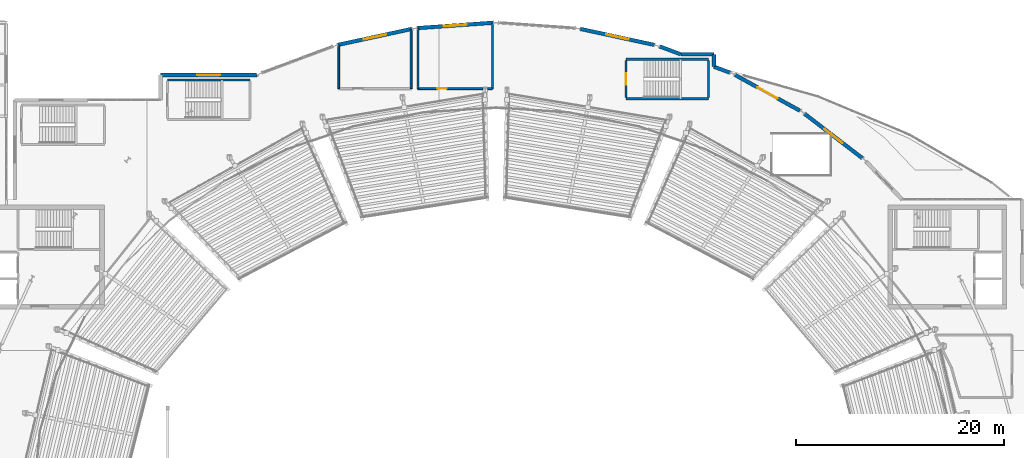
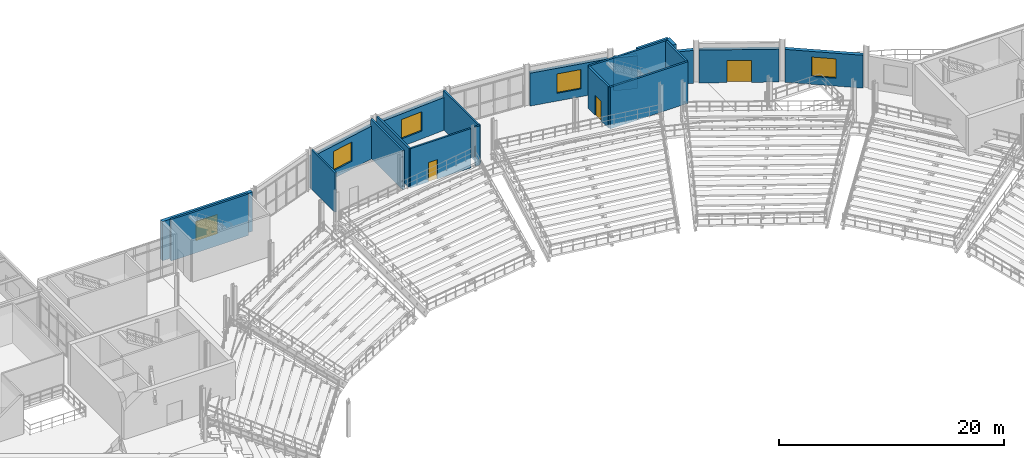
# One storey, part 58 of 81: 21 walls, 5 windows, 3 doors, 8 openings.
"""IFC4 building model written with IfcOpenShell, lengths in metres."""

import ifcopenshell
import ifcopenshell.guid

model = None  # the IFC model being written
_history = None  # IfcOwnerHistory: only IFC2X3 demands one
_inside = {}  # id of a spatial element -> (the spatial element, [elements in it])
_under = {}  # id of a project, library or spatial element -> (it, [spatial elements below it])
_declared = {}  # id of a project -> (the project, [libraries it declares])
_typed = {}  # id of a type object -> (the type object, [elements of that type])
_made_of = {}  # id of a material, layer set ... -> (it, [elements and type objects made of it])


def new_model(schema):
    """Start an empty IFC model of exactly this schema.

    Asked for "IFC4X3", IfcOpenShell would pick the latest addendum, in which some entities
    have other attributes; the version numbers below select the first issue.
    IFC2X3 requires an IfcOwnerHistory on every rooted entity: one is made here for all.
    """
    global model, _history
    if schema == "IFC4X3":
        model = ifcopenshell.file(schema_version=(4, 3, 0, 0))
    else:
        model = ifcopenshell.file(schema=schema)
    _inside.clear()
    _under.clear()
    _declared.clear()
    _typed.clear()
    _made_of.clear()
    _history = None
    if model.schema == "IFC2X3":
        org = make("IfcOrganization", Name="unknown")
        user = make(
            "IfcPersonAndOrganization",
            ThePerson=make("IfcPerson", FamilyName="unknown"),
            TheOrganization=org,
        )
        app = make(
            "IfcApplication",
            ApplicationDeveloper=org,
            Version="unknown",
            ApplicationFullName="unknown",
            ApplicationIdentifier="unknown",
        )
        _history = make(
            "IfcOwnerHistory",
            OwningUser=user,
            OwningApplication=app,
            ChangeAction="ADDED",
            CreationDate=0,
        )
    return model


def make(cls, **values):
    """One entity of the class cls with the attributes given. An attribute that is None is left unset."""
    return model.create_entity(
        cls, **{name: value for name, value in values.items() if value is not None}
    )


def rooted(cls, **values):
    """An entity with a GlobalId (a new one), such as an element, a storey or a relation."""
    return make(cls, GlobalId=ifcopenshell.guid.new(), OwnerHistory=_history, **values)


def si_unit(unit_type, name, prefix=None):
    """IfcSIUnit, for example si_unit("LENGTHUNIT", "METRE", prefix="MILLI")."""
    return make("IfcSIUnit", UnitType=unit_type, Prefix=prefix, Name=name)


def assignment(units):
    """IfcUnitAssignment: the units of a project."""
    return None if units is None else make("IfcUnitAssignment", Units=units)


def point(xyz):
    """IfcCartesianPoint."""
    return None if xyz is None else make("IfcCartesianPoint", Coordinates=xyz)


def direction(xyz):
    """IfcDirection."""
    return None if xyz is None else make("IfcDirection", DirectionRatios=xyz)


def frame(location, z_axis=None, x_axis=None):
    """IfcAxis2Placement3D, a coordinate frame: its origin and axes. An axis left out is left unset."""
    return make(
        "IfcAxis2Placement3D",
        Location=point(location),
        Axis=direction(z_axis),
        RefDirection=direction(x_axis),
    )


def frame_2d(location, x_axis=None):
    """IfcAxis2Placement2D, a coordinate frame in the plane: its origin and x axis."""
    return make(
        "IfcAxis2Placement2D", Location=point(location), RefDirection=direction(x_axis)
    )


def origin():
    """The frame at (0, 0, 0) with its axes left unset."""
    return frame((0.0, 0.0, 0.0))


def place(relative_to, where):
    """IfcLocalPlacement: puts the frame where relative to a parent placement (None: the world)."""
    return make(
        "IfcLocalPlacement", PlacementRelTo=relative_to, RelativePlacement=where
    )


def context(
    kind, dimensions, precision=None, world=None, true_north=None, identifier=None
):
    """IfcGeometricRepresentationContext, for example the 3D "Model" context."""
    return make(
        "IfcGeometricRepresentationContext",
        ContextIdentifier=identifier,
        ContextType=kind,
        CoordinateSpaceDimension=dimensions,
        Precision=precision,
        WorldCoordinateSystem=world,
        TrueNorth=true_north,
    )


def subcontext(parent, identifier, kind, view, scale=None):
    """IfcGeometricRepresentationSubContext, for example "Body" below "Model"."""
    return make(
        "IfcGeometricRepresentationSubContext",
        ContextIdentifier=identifier,
        ContextType=kind,
        ParentContext=parent,
        TargetScale=scale,
        TargetView=view,
    )


def project(units=None, contexts=None):
    """IfcProject with its units and contexts."""
    return rooted(
        "IfcProject",
        Name="project",
        RepresentationContexts=contexts,
        UnitsInContext=assignment(units),
    )


def spatial(cls, under=None, at=None, **own):
    """A site, building, storey or space (cls), placed at a placement, below another one or the project."""
    s = rooted(cls, ObjectPlacement=at, **own)
    if under is not None:
        _under.setdefault(under.id(), (under, []))[1].append(s)
    return s


def profile(cls, at=None, kind="AREA", **sizes):
    """A parametric profile (cls). Its sizes go by their IFC names, for example OverallWidth=200.0."""
    return make(cls, ProfileType=kind, Position=at, **sizes)


def rectangle(**sizes):
    """IfcRectangleProfileDef."""
    return profile("IfcRectangleProfileDef", **sizes)


def extrude(swept, where, along, depth):
    """IfcExtrudedAreaSolid: the profile swept, set in the frame where, extruded along a direction by depth."""
    return make(
        "IfcExtrudedAreaSolid",
        SweptArea=swept,
        Position=where,
        ExtrudedDirection=direction(along),
        Depth=depth,
    )


def shape(context_of_items, identifier, shape_type, items):
    """IfcShapeRepresentation: the items that make up one representation, for example the "Body"."""
    return make(
        "IfcShapeRepresentation",
        ContextOfItems=context_of_items,
        RepresentationIdentifier=identifier,
        RepresentationType=shape_type,
        Items=items,
    )


def material(Name=None, Category=None):
    """IfcMaterial."""
    return make("IfcMaterial", Name=Name, Category=Category)


def layer(
    of_material, thickness, ventilated=None, Name=None, Category=None, Priority=None
):
    """IfcMaterialLayer: one layer of a wall or slab, of a material (None: an air gap)."""
    return make(
        "IfcMaterialLayer",
        Material=of_material,
        LayerThickness=thickness,
        IsVentilated=ventilated,
        Name=Name,
        Category=Category,
        Priority=Priority,
    )


def layer_set(layers, Name=None):
    """IfcMaterialLayerSet."""
    return make("IfcMaterialLayerSet", MaterialLayers=layers, LayerSetName=Name)


def made_of(thing, what):
    """Note that an element or type object is made of a material, layer set ...; save() writes the relation."""
    if what is not None:
        _made_of.setdefault(what.id(), (what, []))[1].append(thing)
    return thing


def type_object(cls, material=None, **own):
    """A type object (cls), such as IfcWallType, which elements share."""
    return made_of(rooted(cls, **own), material)


def element(
    cls,
    number,
    at=None,
    inside=None,
    cuts=None,
    type_object=None,
    material=None,
    context=None,
    identifier="Body",
    shape_type=None,
    held_by="IfcProductDefinitionShape",
    body=None,
    shapes=None,
    **own,
):
    """One element of the class cls, such as IfcWall. Its Tag is "e" and its number.

    at: its placement. inside: the storey or other place that contains it. cuts: it is an
    opening in that element (IfcRelVoidsElement). A single representation is given by context,
    identifier, shape_type and body (its items); several are given by shapes. held_by: the class
    of the entity that holds the representations. save() writes the other relations.
    """
    e = rooted(cls, Tag="e%d" % number, ObjectPlacement=at, **own)
    if body is not None:
        shapes = [shape(context, identifier, shape_type, body)]
    if shapes is not None:
        e.Representation = make(held_by, Representations=shapes)
    if inside is not None:
        _inside.setdefault(inside.id(), (inside, []))[1].append(e)
    if cuts is not None:
        rooted(
            "IfcRelVoidsElement", RelatingBuildingElement=cuts, RelatedOpeningElement=e
        )
    if type_object is not None:
        _typed.setdefault(type_object.id(), (type_object, []))[1].append(e)
    return made_of(e, material)


def fill(opening, filler):
    """IfcRelFillsElement: the door or window that sits in an opening."""
    return rooted(
        "IfcRelFillsElement",
        RelatingOpeningElement=opening,
        RelatedBuildingElement=filler,
    )


def aggregate(whole, parts):
    """IfcRelAggregates: a whole, such as a stair, and the parts it consists of."""
    return rooted("IfcRelAggregates", RelatingObject=whole, RelatedObjects=parts)


def save(model, path):
    """Write the relations noted so far, then the file.

    IfcRelAggregates (storeys below a building ...), IfcRelContainedInSpatialStructure (elements
    in a storey), IfcRelDefinesByType, IfcRelAssociatesMaterial and IfcRelDeclares: one each for
    every whole, place, type object, material and project.
    """
    for whole, parts in _under.values():
        aggregate(whole, parts)
    for where, things in _inside.values():
        rooted(
            "IfcRelContainedInSpatialStructure",
            RelatedElements=things,
            RelatingStructure=where,
        )
    for kind, things in _typed.values():
        rooted("IfcRelDefinesByType", RelatedObjects=things, RelatingType=kind)
    for what, things in _made_of.values():
        rooted("IfcRelAssociatesMaterial", RelatedObjects=things, RelatingMaterial=what)
    for by, libraries in _declared.values():
        rooted("IfcRelDeclares", RelatingContext=by, RelatedDefinitions=libraries)
    model.write(path)


model = new_model("IFC4")

# Units and contexts
model_context = context("Model", 3, precision=1e-05, world=origin(), true_north=direction((0.0, 1.0)))
body_context = subcontext(model_context, "Body", "Model", "MODEL_VIEW")
ifc_project = project(units=[si_unit("LENGTHUNIT", "METRE"), si_unit("AREAUNIT", "SQUARE_METRE"), si_unit("VOLUMEUNIT", "CUBIC_METRE"), si_unit("PLANEANGLEUNIT", "RADIAN"), si_unit("MASSUNIT", "GRAM", prefix="KILO")], contexts=[model_context])

# Site, building, storey
site_placement = place(None, origin())
site = spatial("IfcSite", under=ifc_project, at=site_placement, CompositionType="ELEMENT")
building_placement = place(site_placement, origin())
building = spatial("IfcBuilding", under=site, at=building_placement, Name="Glasvene Arena", CompositionType="ELEMENT")
storey_placement = place(building_placement, frame((0.0, 0.0, 15.0)))
storey = spatial("IfcBuildingStorey", under=building, at=storey_placement, Name="L03", CompositionType="ELEMENT", Elevation=15.0)

# Wall, opening, window
ifc_material_1 = material(Name="Coursed pale Irish limestone", Category="masonry")
ifc_layer_1 = layer(ifc_material_1, 0.360107421875)
ifc_layer_set_1 = layer_set([ifc_layer_1], Name="Coursed pale Irish limestone")
wall_type_1 = type_object("IfcWallType", Name="WL-EXT-LIM-360", PredefinedType="STANDARD", material=ifc_layer_set_1)
wall_1_placement = place(storey_placement, frame((59.800048828125, 112.949951171875, 0.0), z_axis=(0.0, 0.0, 1.0), x_axis=(1.0, 0.0, 0.0)))
wall_1 = element("IfcWall", 1, at=wall_1_placement, inside=storey, type_object=wall_type_1, Name="External facade wall EW-L03-0194", PredefinedType="STANDARD", context=body_context, shape_type="SweptSolid", body=[
    extrude(rectangle(XDim=9.237060546875, YDim=0.360107421875, at=frame_2d((4.61865234375, 0.0))), origin(), (0.0, 0.0, 1.0), 4.25),
])
opening_1_placement = place(wall_1_placement, frame((3.51904296875, 0.0, 0.85009765625)))
opening_1 = element("IfcOpeningElement", 2, at=opening_1_placement, cuts=wall_1, Name="Opening W-09", PredefinedType="OPENING", context=body_context, shape_type="SweptSolid", body=[
    extrude(rectangle(XDim=2.199951171875, YDim=2.10009765625, at=frame_2d((1.10009765625, 1.050048828125))), frame((0.0, 0.18994140625, 0.0), z_axis=(0.0, -1.0, 0.0), x_axis=(1.0, 0.0, 0.0)), (0.0, 0.0, 1.0), 0.380126953125),
])
ifc_material_2 = material(Name="Low-emissivity laminated double glazing", Category="glass")
window_type = type_object("IfcWindowType", Name="WN-SUITE-220x210", PartitioningType="DOUBLE_PANEL_VERTICAL", PredefinedType="WINDOW", material=ifc_material_2)
window_1_placement = place(opening_1_placement, origin())
window_1 = element("IfcWindow", 3, at=window_1_placement, inside=storey, type_object=window_type, Name="Facade window WN-SUITE-220x210 L03-0124", OverallHeight=2.10009765625, OverallWidth=2.199951171875, PartitioningType="SINGLE_PANEL", PredefinedType="WINDOW", context=body_context, shape_type="SweptSolid", body=[
    extrude(rectangle(XDim=2.199951171875, YDim=2.10009765625, at=frame_2d((1.10009765625, 1.050048828125))), frame((0.0, 0.030029296875, 0.0), z_axis=(0.0, -1.0, 0.0), x_axis=(1.0, 0.0, 0.0)), (0.0, 0.0, 1.0), 0.06005859375),
])
fill(opening_1, window_1)

wall_2_placement = place(storey_placement, frame((76.8095703125, 115.853759765625, 0.0), z_axis=(0.0, 0.0, 1.0), x_axis=(0.977443945478, 0.211195012838, 0.0)))
wall_2 = element("IfcWall", 4, at=wall_2_placement, inside=storey, type_object=wall_type_1, Name="External facade wall EW-L03-0195", PredefinedType="STANDARD", context=body_context, shape_type="SweptSolid", body=[
    extrude(rectangle(XDim=7.274658203125, YDim=0.360107421875, at=frame_2d((3.63720703125, 0.0))), origin(), (0.0, 0.0, 1.0), 3.5615234375),
])
opening_2_placement = place(wall_2_placement, frame((2.537109375, 0.0, 0.85009765625)))
opening_2 = element("IfcOpeningElement", 5, at=opening_2_placement, cuts=wall_2, Name="Opening W-09", PredefinedType="OPENING", context=body_context, shape_type="SweptSolid", body=[
    extrude(rectangle(XDim=2.199951171875, YDim=2.10009765625, at=frame_2d((1.10009765625, 1.050048828125))), frame((0.0, 0.18994140625, 0.0), z_axis=(0.0, -1.0, 0.0), x_axis=(1.0, 0.0, 0.0)), (0.0, 0.0, 1.0), 0.380126953125),
])
window_2_placement = place(opening_2_placement, origin())
window_2 = element("IfcWindow", 6, at=window_2_placement, inside=storey, type_object=window_type, Name="Facade window WN-SUITE-220x210 L03-0125", OverallHeight=2.10009765625, OverallWidth=2.199951171875, PartitioningType="SINGLE_PANEL", PredefinedType="WINDOW", context=body_context, shape_type="SweptSolid", body=[
    extrude(rectangle(XDim=2.199951171875, YDim=2.10009765625, at=frame_2d((1.10009765625, 1.050048828125))), frame((0.0, 0.030029296875, 0.0), z_axis=(0.0, -1.0, 0.0), x_axis=(1.0, 0.0, 0.0)), (0.0, 0.0, 1.0), 0.06005859375),
])
fill(opening_2, window_2)

wall_3_placement = place(storey_placement, frame((84.443115234375, 117.46484375, 0.0), z_axis=(0.0, 0.0, 1.0), x_axis=(0.99750291648, 0.070625290183, 0.0)))
wall_3 = element("IfcWall", 7, at=wall_3_placement, inside=storey, type_object=wall_type_1, Name="External facade wall EW-L03-0196", PredefinedType="STANDARD", context=body_context, shape_type="SweptSolid", body=[
    extrude(rectangle(XDim=7.311279296875, YDim=0.360107421875, at=frame_2d((3.65576171875, 0.0))), origin(), (0.0, 0.0, 1.0), 3.5615234375),
])
opening_3_placement = place(wall_3_placement, frame((2.555908203125, 0.0, 0.85009765625)))
opening_3 = element("IfcOpeningElement", 8, at=opening_3_placement, cuts=wall_3, Name="Opening W-09", PredefinedType="OPENING", context=body_context, shape_type="SweptSolid", body=[
    extrude(rectangle(XDim=2.199951171875, YDim=2.10009765625, at=frame_2d((1.10009765625, 1.050048828125))), frame((0.0, 0.18994140625, 0.0), z_axis=(0.0, -1.0, 0.0), x_axis=(1.0, 0.0, 0.0)), (0.0, 0.0, 1.0), 0.380126953125),
])
window_3_placement = place(opening_3_placement, origin())
window_3 = element("IfcWindow", 9, at=window_3_placement, inside=storey, type_object=window_type, Name="Facade window WN-SUITE-220x210 L03-0126", OverallHeight=2.10009765625, OverallWidth=2.199951171875, PartitioningType="SINGLE_PANEL", PredefinedType="WINDOW", context=body_context, shape_type="SweptSolid", body=[
    extrude(rectangle(XDim=2.199951171875, YDim=2.10009765625, at=frame_2d((1.10009765625, 1.050048828125))), frame((0.0, 0.030029296875, 0.0), z_axis=(0.0, -1.0, 0.0), x_axis=(1.0, 0.0, 0.0)), (0.0, 0.0, 1.0), 0.06005859375),
])
fill(opening_3, window_3)

wall_4_placement = place(storey_placement, frame((100.079833984375, 117.39013671875, 0.0), z_axis=(0.0, 0.0, 1.0), x_axis=(0.977443945478, -0.211195012838, 0.0)))
wall_4 = element("IfcWall", 10, at=wall_4_placement, inside=storey, type_object=wall_type_1, Name="External facade wall EW-L03-0197", PredefinedType="STANDARD", context=body_context, shape_type="SweptSolid", body=[
    extrude(rectangle(XDim=7.274658203125, YDim=0.360107421875, at=frame_2d((3.63720703125, 0.0))), origin(), (0.0, 0.0, 1.0), 3.5615234375),
])
opening_4_placement = place(wall_4_placement, frame((2.537109375, 0.0, 0.85009765625)))
opening_4 = element("IfcOpeningElement", 11, at=opening_4_placement, cuts=wall_4, Name="Opening W-09", PredefinedType="OPENING", context=body_context, shape_type="SweptSolid", body=[
    extrude(rectangle(XDim=2.199951171875, YDim=2.10009765625, at=frame_2d((1.10009765625, 1.050048828125))), frame((0.0, 0.18994140625, 0.0), z_axis=(0.0, -1.0, 0.0), x_axis=(1.0, 0.0, 0.0)), (0.0, 0.0, 1.0), 0.380126953125),
])
window_4_placement = place(opening_4_placement, origin())
window_4 = element("IfcWindow", 12, at=window_4_placement, inside=storey, type_object=window_type, Name="Facade window WN-SUITE-220x210 L03-0127", OverallHeight=2.10009765625, OverallWidth=2.199951171875, PartitioningType="SINGLE_PANEL", PredefinedType="WINDOW", context=body_context, shape_type="SweptSolid", body=[
    extrude(rectangle(XDim=2.199951171875, YDim=2.10009765625, at=frame_2d((1.10009765625, 1.050048828125))), frame((0.0, 0.030029296875, 0.0), z_axis=(0.0, -1.0, 0.0), x_axis=(1.0, 0.0, 0.0)), (0.0, 0.0, 1.0), 0.06005859375),
])
fill(opening_4, window_4)

# Walls
wall_5_placement = place(storey_placement, frame((107.6982421875, 115.705322265625, 0.0), z_axis=(0.0, 0.0, 1.0), x_axis=(0.9369864699, -0.349365646887, 0.0)))
element("IfcWall", 13, at=wall_5_placement, inside=storey, type_object=wall_type_1, Name="External facade wall EW-L03-0198", PredefinedType="STANDARD", context=body_context, shape_type="SweptSolid", body=[
    extrude(rectangle(XDim=2.162109375, YDim=0.360107421875, at=frame_2d((1.0810546875, 0.0))), origin(), (0.0, 0.0, 1.0), 3.5615234375),
])
wall_6_placement = place(storey_placement, frame((109.72412109375, 114.949951171875, 0.0), z_axis=(0.0, 0.0, 1.0), x_axis=(1.0, 0.0, 0.0)))
element("IfcWall", 14, at=wall_6_placement, inside=storey, type_object=wall_type_1, Name="External facade wall EW-L03-0199", PredefinedType="STANDARD", context=body_context, shape_type="SweptSolid", body=[
    extrude(rectangle(XDim=3.17578125, YDim=0.360107421875, at=frame_2d((1.587890625, 0.0))), origin(), (0.0, 0.0, 1.0), 4.25),
])
wall_7_placement = place(storey_placement, frame((112.89990234375, 114.949951171875, 0.0), z_axis=(0.0, 0.0, 1.0), x_axis=(0.0, -1.0, 0.0)))
element("IfcWall", 15, at=wall_7_placement, inside=storey, type_object=wall_type_1, Name="External facade wall EW-L03-0200", PredefinedType="STANDARD", context=body_context, shape_type="SweptSolid", body=[
    extrude(rectangle(XDim=1.183837890625, YDim=0.360107421875, at=frame_2d((0.591796875, 0.0))), origin(), (0.0, 0.0, 1.0), 4.25),
])
wall_8_placement = place(storey_placement, frame((112.89990234375, 113.76611328125, 0.0), z_axis=(0.0, 0.0, 1.0), x_axis=(0.937025264324, -0.349261583944, 0.0)))
element("IfcWall", 16, at=wall_8_placement, inside=storey, type_object=wall_type_1, Name="External facade wall EW-L03-0201", PredefinedType="STANDARD", context=body_context, shape_type="SweptSolid", body=[
    extrude(rectangle(XDim=1.653076171875, YDim=0.360107421875, at=frame_2d((0.82666015625, 0.0))), origin(), (0.0, 0.0, 1.0), 3.5615234375),
])

# Wall, opening, door
wall_9_placement = place(storey_placement, frame((114.9306640625, 112.9677734375, 0.0), z_axis=(0.0, 0.0, 1.0), x_axis=(0.875666344916, -0.482916610174, 0.0)))
wall_9 = element("IfcWall", 17, at=wall_9_placement, inside=storey, type_object=wall_type_1, Name="External facade wall EW-L03-0202", PredefinedType="STANDARD", context=body_context, shape_type="SweptSolid", body=[
    extrude(rectangle(XDim=7.107666015625, YDim=0.360107421875, at=frame_2d((3.5537109375, 0.0))), origin(), (0.0, 0.0, 1.0), 3.5615234375),
])
opening_5_placement = place(wall_9_placement, frame((2.4541015625, 0.0, 0.0)))
opening_5 = element("IfcOpeningElement", 18, at=opening_5_placement, cuts=wall_9, Name="Opening TD-220", PredefinedType="OPENING", context=body_context, shape_type="SweptSolid", body=[
    extrude(rectangle(XDim=2.199951171875, YDim=2.39990234375, at=frame_2d((1.10009765625, 1.199951171875))), frame((0.0, 0.18994140625, 0.0), z_axis=(0.0, -1.0, 0.0), x_axis=(1.0, 0.0, 0.0)), (0.0, 0.0, 1.0), 0.380126953125),
])
ifc_material_3 = material(Name="Anodised architectural aluminium", Category="aluminium")
door_type_1 = type_object("IfcDoorType", Name="DR-TERR-2200", OperationType="DOUBLE_DOOR_SINGLE_SWING", PredefinedType="DOOR", material=ifc_material_3)
door_1_placement = place(opening_5_placement, origin())
door_1 = element("IfcDoor", 19, at=door_1_placement, inside=storey, type_object=door_type_1, Name="Terrace lounge glazed exit door TD-L03-03", OperationType="DOUBLE_DOOR_SINGLE_SWING", OverallHeight=2.39990234375, OverallWidth=2.199951171875, PredefinedType="DOOR", context=body_context, shape_type="SweptSolid", body=[
    extrude(rectangle(XDim=2.199951171875, YDim=2.39990234375, at=frame_2d((1.10009765625, 1.199951171875))), frame((0.0, 0.02490234375, 0.0), z_axis=(0.0, -1.0, 0.0), x_axis=(1.0, 0.0, 0.0)), (0.0, 0.0, 1.0), 0.050048828125),
])
fill(opening_5, door_1)

# Wall, opening, window
wall_10_placement = place(storey_placement, frame((121.5986328125, 109.244873046875, 0.0), z_axis=(0.0, 0.0, 1.0), x_axis=(0.792838099683, -0.609432315923, 0.0)))
wall_10 = element("IfcWall", 20, at=wall_10_placement, inside=storey, type_object=wall_type_1, Name="External facade wall EW-L03-0203", PredefinedType="STANDARD", context=body_context, shape_type="SweptSolid", body=[
    extrude(rectangle(XDim=6.992431640625, YDim=0.360107421875, at=frame_2d((3.49609375, 0.0))), origin(), (0.0, 0.0, 1.0), 3.5615234375),
])
opening_6_placement = place(wall_10_placement, frame((2.39599609375, 0.0, 0.85009765625)))
opening_6 = element("IfcOpeningElement", 21, at=opening_6_placement, cuts=wall_10, Name="Opening W-09", PredefinedType="OPENING", context=body_context, shape_type="SweptSolid", body=[
    extrude(rectangle(XDim=2.199951171875, YDim=2.10009765625, at=frame_2d((1.10009765625, 1.050048828125))), frame((0.0, 0.18994140625, 0.0), z_axis=(0.0, -1.0, 0.0), x_axis=(1.0, 0.0, 0.0)), (0.0, 0.0, 1.0), 0.380126953125),
])
window_5_placement = place(opening_6_placement, origin())
window_5 = element("IfcWindow", 22, at=window_5_placement, inside=storey, type_object=window_type, Name="Facade window WN-SUITE-220x210 L03-0128", OverallHeight=2.10009765625, OverallWidth=2.199951171875, PartitioningType="SINGLE_PANEL", PredefinedType="WINDOW", context=body_context, shape_type="SweptSolid", body=[
    extrude(rectangle(XDim=2.199951171875, YDim=2.10009765625, at=frame_2d((1.10009765625, 1.050048828125))), frame((0.0, 0.030029296875, 0.0), z_axis=(0.0, -1.0, 0.0), x_axis=(1.0, 0.0, 0.0)), (0.0, 0.0, 1.0), 0.06005859375),
])
fill(opening_6, window_5)

# Walls
ifc_material_4 = material(Name="Concrete C40/50", Category="concrete")
ifc_layer_2 = layer(ifc_material_4, 0.199951171875)
ifc_layer_set_2 = layer_set([ifc_layer_2], Name="Concrete C40/50")
wall_type_2 = type_object("IfcWallType", Name="WL-SHAFT-200", PredefinedType="SHEAR", material=ifc_layer_set_2)
for number, where, z_axis, x_axis, name in (
    (23, (60.449951171875, 112.469970703125, 0.0), (0.0, 0.0, 1.0), (1.0, 0.0, 0.0), "Escape stair shaft wall ST-10 L03 N"),
    (24, (104.449951171875, 110.679931640625, 0.0), (0.0, 0.0, 1.0), (1.0, 0.0, 0.0), "Escape stair shaft wall ST-11 L03 S"),
):
    element("IfcWall", number, at=place(storey_placement, frame(where, z_axis=z_axis, x_axis=x_axis)), inside=storey, type_object=wall_type_2, Name=name, PredefinedType="SHEAR", context=body_context, shape_type="SweptSolid", body=[
        extrude(rectangle(XDim=7.949951171875, YDim=0.199951171875, at=frame_2d((3.97509765625, 0.0))), origin(), (0.0, 0.0, 1.0), 4.5),
    ])

# Wall, opening, door
wall_11_placement = place(storey_placement, frame((104.449951171875, 110.781982421875, 0.0), z_axis=(0.0, 0.0, 1.0), x_axis=(0.0, 1.0, 0.0)))
wall_11 = element("IfcWall", 25, at=wall_11_placement, inside=storey, type_object=wall_type_2, Name="Escape stair shaft wall ST-11 L03 W", PredefinedType="SHEAR", context=body_context, shape_type="SweptSolid", body=[
    extrude(rectangle(XDim=3.5859375, YDim=0.199951171875, at=frame_2d((1.79296875, 0.0))), origin(), (0.0, 0.0, 1.0), 4.5),
])
opening_7_placement = place(wall_11_placement, frame((1.242919921875, 0.0, 0.0)))
opening_7 = element("IfcOpeningElement", 26, at=opening_7_placement, cuts=wall_11, Name="Opening D-04", PredefinedType="OPENING", context=body_context, shape_type="SweptSolid", body=[
    extrude(rectangle(XDim=1.10009765625, YDim=2.14990234375, at=frame_2d((0.550048828125, 1.074951171875))), frame((0.0, 0.10986328125, 0.0), z_axis=(0.0, -1.0, 0.0), x_axis=(1.0, 0.0, 0.0)), (0.0, 0.0, 1.0), 0.219970703125),
])
ifc_material_5 = material(Name="Painted fire-resisting steel", Category="steel")
door_type_2 = type_object("IfcDoorType", Name="DR-FD60-1100", OperationType="NOTDEFINED", PredefinedType="DOOR", material=ifc_material_5)
door_2_placement = place(opening_7_placement, frame((1.10009765625, 0.0, 0.0), z_axis=(0.0, 0.0, 1.0), x_axis=(-1.0, 0.0, 0.0)))
door_2 = element("IfcDoor", 27, at=door_2_placement, inside=storey, type_object=door_type_2, Name="Protected escape stair door ST-11 L03", OperationType="SINGLE_SWING_RIGHT", OverallHeight=2.14990234375, OverallWidth=1.10009765625, PredefinedType="DOOR", context=body_context, shape_type="SweptSolid", body=[
    extrude(rectangle(XDim=1.10009765625, YDim=2.14990234375, at=frame_2d((0.550048828125, 1.074951171875))), frame((0.0, 0.02490234375, 0.0), z_axis=(0.0, -1.0, 0.0), x_axis=(1.0, 0.0, 0.0)), (0.0, 0.0, 1.0), 0.050048828125),
])
fill(opening_7, door_2)

# Walls
wall_12_placement = place(storey_placement, frame((112.39990234375, 110.781982421875, 0.0), z_axis=(0.0, 0.0, 1.0), x_axis=(0.0, 1.0, 0.0)))
element("IfcWall", 28, at=wall_12_placement, inside=storey, type_object=wall_type_2, Name="Escape stair shaft wall ST-11 L03 E", PredefinedType="SHEAR", context=body_context, shape_type="SweptSolid", body=[
    extrude(rectangle(XDim=3.5859375, YDim=0.199951171875, at=frame_2d((1.79296875, 0.0))), origin(), (0.0, 0.0, 1.0), 4.5),
])
wall_13_placement = place(storey_placement, frame((104.449951171875, 114.469970703125, 0.0), z_axis=(0.0, 0.0, 1.0), x_axis=(1.0, 0.0, 0.0)))
element("IfcWall", 29, at=wall_13_placement, inside=storey, type_object=wall_type_2, Name="Escape stair shaft wall ST-11 L03 N", PredefinedType="SHEAR", context=body_context, shape_type="SweptSolid", body=[
    extrude(rectangle(XDim=7.949951171875, YDim=0.199951171875, at=frame_2d((3.97509765625, 0.0))), origin(), (0.0, 0.0, 1.0), 4.5),
])
ifc_material_6 = material(Name="Moisture-resistant masonry blockwork", Category="masonry")
ifc_layer_3 = layer(ifc_material_6, 0.179931640625)
ifc_layer_set_3 = layer_set([ifc_layer_3], Name="Moisture-resistant masonry blockwork")
wall_type_3 = type_object("IfcWallType", Name="WL-WET-180", PredefinedType="PARTITIONING", material=ifc_layer_set_3)
wall_14_placement = place(storey_placement, frame((83.85009765625, 117.335205078125, 0.0), z_axis=(0.0, 0.0, 1.0), x_axis=(0.0, -1.0, 0.0)))
element("IfcWall", 30, at=wall_14_placement, inside=storey, type_object=wall_type_3, Name="Interior partition wall IW-L03-0272 (L03 Public Male WC)", PredefinedType="PARTITIONING", context=body_context, shape_type="SweptSolid", body=[
    extrude(rectangle(XDim=5.685302734375, YDim=0.179931640625, at=frame_2d((2.8427734375, 0.0))), origin(), (0.0, 0.0, 1.0), 4.25),
])
wall_15_placement = place(storey_placement, frame((76.89990234375, 111.64990234375, 0.0), z_axis=(0.0, 0.0, 1.0), x_axis=(0.0, 1.0, 0.0)))
element("IfcWall", 31, at=wall_15_placement, inside=storey, type_object=wall_type_3, Name="Interior partition wall IW-L03-0274 (L03 Public Male WC)", PredefinedType="PARTITIONING", context=body_context, shape_type="SweptSolid", body=[
    extrude(rectangle(XDim=4.183349609375, YDim=0.179931640625, at=frame_2d((2.091796875, 0.0))), origin(), (0.0, 0.0, 1.0), 4.25),
])
wall_16_placement = place(storey_placement, frame((91.64990234375, 117.935302734375, 0.0), z_axis=(0.0, 0.0, 1.0), x_axis=(0.0, -1.0, 0.0)))
element("IfcWall", 32, at=wall_16_placement, inside=storey, type_object=wall_type_3, Name="Interior partition wall IW-L03-0275 (L03 Public Female WC)", PredefinedType="PARTITIONING", context=body_context, shape_type="SweptSolid", body=[
    extrude(rectangle(XDim=6.285400390625, YDim=0.179931640625, at=frame_2d((3.142578125, 0.0))), origin(), (0.0, 0.0, 1.0), 4.25),
])
wall_17_placement = place(storey_placement, frame((91.64990234375, 111.64990234375, 0.0), z_axis=(0.0, 0.0, 1.0), x_axis=(-1.0, 0.0, 0.0)))
element("IfcWall", 33, at=wall_17_placement, inside=storey, type_object=wall_type_3, Name="Interior partition wall IW-L03-0276 (L03 Public Female WC)", PredefinedType="PARTITIONING", context=body_context, shape_type="SweptSolid", body=[
    extrude(rectangle(XDim=0.465087890625, YDim=0.179931640625, at=frame_2d((0.232421875, 0.0))), origin(), (0.0, 0.0, 1.0), 4.25),
])

# Wall, opening, door
wall_18_placement = place(storey_placement, frame((90.72802734375, 111.64990234375, 0.0), z_axis=(0.0, 0.0, 1.0), x_axis=(-1.0, 0.0, 0.0)))
wall_18 = element("IfcWall", 34, at=wall_18_placement, inside=storey, type_object=wall_type_3, Name="Interior partition wall IW-L03-0277 (L03 Public Female WC)", PredefinedType="PARTITIONING", context=body_context, shape_type="SweptSolid", body=[
    extrude(rectangle(XDim=6.22802734375, YDim=0.179931640625, at=frame_2d((3.114013671875, 0.0))), origin(), (0.0, 0.0, 1.0), 4.25),
])
opening_8_placement = place(wall_18_placement, frame((3.451904296875, 0.0, 0.0)))
opening_8 = element("IfcOpeningElement", 35, at=opening_8_placement, cuts=wall_18, Name="Opening D-13", PredefinedType="OPENING", context=body_context, shape_type="SweptSolid", body=[
    extrude(rectangle(XDim=0.89990234375, YDim=2.10009765625, at=frame_2d((0.449951171875, 1.050048828125))), frame((0.0, 0.10009765625, 0.0), z_axis=(0.0, -1.0, 0.0), x_axis=(1.0, 0.0, 0.0)), (0.0, 0.0, 1.0), 0.199951171875),
])
ifc_material_7 = material(Name="Moisture-resistant laminate timber", Category="wood")
door_type_3 = type_object("IfcDoorType", Name="DR-WC-900", OperationType="NOTDEFINED", PredefinedType="DOOR", material=ifc_material_7)
door_3_placement = place(opening_8_placement, origin())
door_3 = element("IfcDoor", 36, at=door_3_placement, inside=storey, type_object=door_type_3, Name="Interior door DR-WC-900 (L03 Public Female WC)", OperationType="SINGLE_SWING_LEFT", OverallHeight=2.10009765625, OverallWidth=0.89990234375, PredefinedType="DOOR", context=body_context, shape_type="SweptSolid", body=[
    extrude(rectangle(XDim=0.89990234375, YDim=2.10009765625, at=frame_2d((0.449951171875, 1.050048828125))), frame((0.0, 0.02490234375, 0.0), z_axis=(0.0, -1.0, 0.0), x_axis=(1.0, 0.0, 0.0)), (0.0, 0.0, 1.0), 0.050048828125),
])
fill(opening_8, door_3)

# Wall
wall_19_placement = place(storey_placement, frame((84.5, 111.64990234375, 0.0), z_axis=(0.0, 0.0, 1.0), x_axis=(0.0, 1.0, 0.0)))
element("IfcWall", 37, at=wall_19_placement, inside=storey, type_object=wall_type_3, Name="Interior partition wall IW-L03-0278 (L03 Public Female WC)", PredefinedType="PARTITIONING", context=body_context, shape_type="SweptSolid", body=[
    extrude(rectangle(XDim=5.77880859375, YDim=0.179931640625, at=frame_2d((2.889404296875, 0.0))), origin(), (0.0, 0.0, 1.0), 4.25),
])

save(model, "model.ifc")
